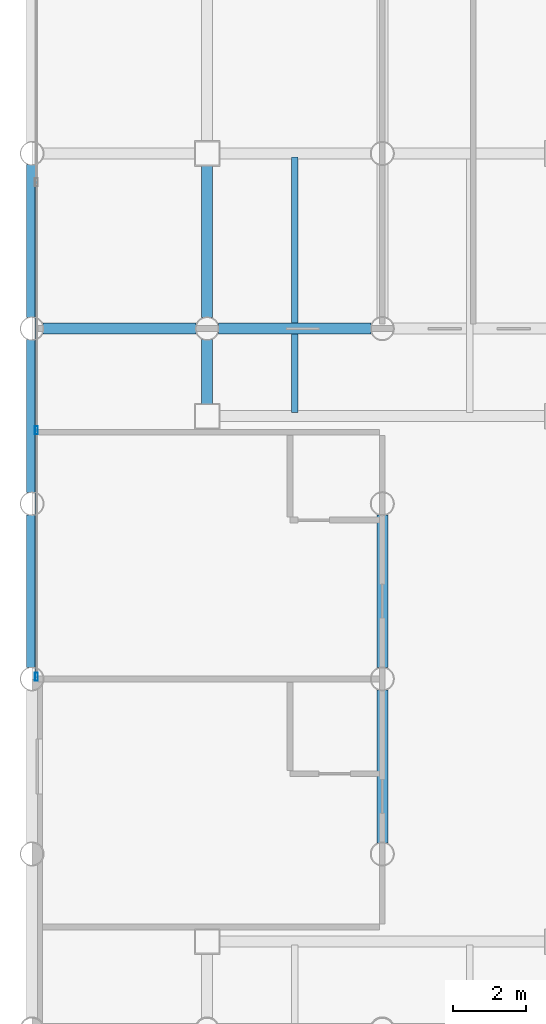
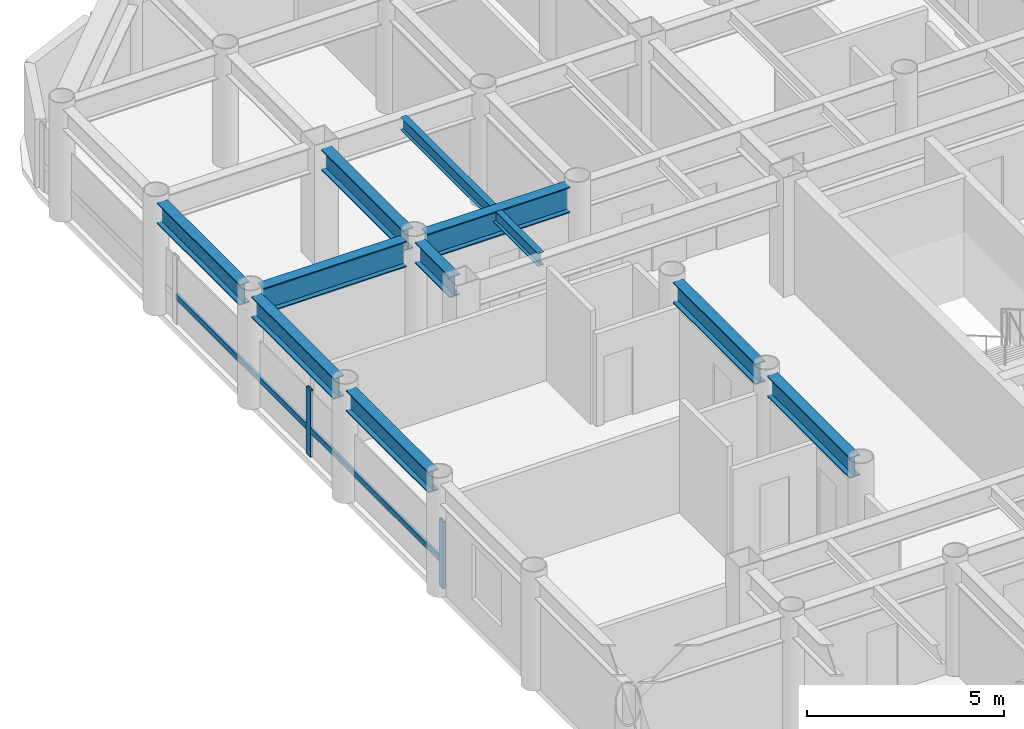
# One storey, part 4 of 22: 10 beams, 4 members, 1 element without a shape of its own.
"""IFC4 building model written with IfcOpenShell, lengths in metres."""

from ifc_helpers import new_model, si_unit, direction, frame, origin, origin_2d, place, context, subcontext, project, spatial, hollow_rectangle, i_section, extrude, material, layer, layer_set, material_profile, profile_set, type_object, element, aggregate, save


model = new_model("IFC4")

# Units and contexts
model_context = context("Model", 3, precision=1e-05, world=origin(), true_north=direction((0.0, 1.0)))
body_context = subcontext(model_context, "Body", "Model", "MODEL_VIEW")
ifc_project = project(units=[si_unit("LENGTHUNIT", "METRE"), si_unit("AREAUNIT", "SQUARE_METRE"), si_unit("VOLUMEUNIT", "CUBIC_METRE"), si_unit("PLANEANGLEUNIT", "RADIAN"), si_unit("MASSUNIT", "GRAM", prefix="KILO")], contexts=[model_context])

# Site, building, storey
site_placement = place(None, origin())
site = spatial("IfcSite", under=ifc_project, at=site_placement, CompositionType="ELEMENT")
building_placement = place(site_placement, origin())
building = spatial("IfcBuilding", under=site, at=building_placement, Name="Kallvorn Hotel Tower", CompositionType="ELEMENT")
storey_placement = place(building_placement, frame((0.0, 0.0, 110.0)))
storey = spatial("IfcBuildingStorey", under=building, at=storey_placement, Name="L26", CompositionType="ELEMENT", Elevation=110.0)

# Beams
ifc_material_1 = material(Name="Structural steel S355JR", Category="steel")
ifc_material_profile_1 = material_profile(ifc_material_1, i_section(OverallWidth=0.300048828125, OverallDepth=0.64990234375, WebThickness=0.01611328125, FlangeThickness=0.031005859375, at=origin_2d()), Name="HE 650 B")
ifc_profile_set_1 = profile_set([ifc_material_profile_1], Name="Structural steel S355JR")
beam_type_1 = type_object("IfcBeamType", Name="BM_HE650B", PredefinedType="BEAM", material=ifc_profile_set_1)
beam_1_placement = place(storey_placement, frame((-28.800048828125, 0.304931640625, 3.195068359375), z_axis=(0.0, 1.0, 0.0), x_axis=(-1.0, 0.0, 0.0)))
element("IfcBeam", 1, at=beam_1_placement, inside=storey, type_object=beam_type_1, Name="L27 Primary Y-Girder 77", PredefinedType="BEAM", context=body_context, shape_type="SweptSolid", body=[
    extrude(i_section(OverallWidth=0.300048828125, OverallDepth=0.64990234375, WebThickness=0.01611328125, FlangeThickness=0.031005859375, at=origin_2d()), origin(), (0.0, 0.0, 1.0), 4.190185546875),
])
for number, where, z_axis, x_axis, name in (
    (2, (-28.800048828125, 5.10498046875, 3.195068359375), (0.0, 1.0, 0.0), (-1.0, 0.0, 0.0), "L27 Primary Y-Girder 78"),
    (3, (-28.800048828125, 9.905029296875, 3.195068359375), (0.0, 1.0, 0.0), (-1.0, 0.0, 0.0), "L27 Primary Y-Girder 79"),
):
    element("IfcBeam", number, at=place(storey_placement, frame(where, z_axis=z_axis, x_axis=x_axis)), inside=storey, type_object=beam_type_1, Name=name, PredefinedType="BEAM", context=body_context, shape_type="SweptSolid", body=[
        extrude(i_section(OverallWidth=0.300048828125, OverallDepth=0.64990234375, WebThickness=0.01611328125, FlangeThickness=0.031005859375, at=origin_2d()), origin(), (0.0, 0.0, 1.0), 4.18994140625),
    ])
beam_2_placement = place(storey_placement, frame((-24.0, 7.52490234375, 3.195068359375), z_axis=(0.0, 1.0, 0.0), x_axis=(-1.0, 0.0, 0.0)))
element("IfcBeam", 4, at=beam_2_placement, inside=storey, type_object=beam_type_1, Name="L27 Primary Y-Girder 84", PredefinedType="BEAM", context=body_context, shape_type="SweptSolid", body=[
    extrude(i_section(OverallWidth=0.300048828125, OverallDepth=0.64990234375, WebThickness=0.01611328125, FlangeThickness=0.031005859375, at=origin_2d()), origin(), (0.0, 0.0, 1.0), 1.77001953125),
])
beam_3_placement = place(storey_placement, frame((-24.0, 9.905029296875, 3.195068359375), z_axis=(0.0, 1.0, 0.0), x_axis=(-1.0, 0.0, 0.0)))
element("IfcBeam", 5, at=beam_3_placement, inside=storey, type_object=beam_type_1, Name="L27 Primary Y-Girder 85", PredefinedType="BEAM", context=body_context, shape_type="SweptSolid", body=[
    extrude(i_section(OverallWidth=0.300048828125, OverallDepth=0.64990234375, WebThickness=0.01611328125, FlangeThickness=0.031005859375, at=origin_2d()), origin(), (0.0, 0.0, 1.0), 4.169921875),
])
for number, where, z_axis, x_axis, name in (
    (6, (-19.199951171875, -4.4951171875, 3.195068359375), (0.0, 1.0, 0.0), (-1.0, 0.0, 0.0), "L27 Primary Y-Girder 91"),
    (7, (-19.199951171875, 0.304931640625, 3.195068359375), (0.0, 1.0, 0.0), (-1.0, 0.0, 0.0), "L27 Primary Y-Girder 92"),
):
    element("IfcBeam", number, at=place(storey_placement, frame(where, z_axis=z_axis, x_axis=x_axis)), inside=storey, type_object=beam_type_1, Name=name, PredefinedType="BEAM", context=body_context, shape_type="SweptSolid", body=[
        extrude(i_section(OverallWidth=0.300048828125, OverallDepth=0.64990234375, WebThickness=0.01611328125, FlangeThickness=0.031005859375, at=origin_2d()), origin(), (0.0, 0.0, 1.0), 4.190185546875),
    ])
ifc_material_2 = material(Name="Structural steel S355JR", Category="steel")
ifc_material_profile_2 = material_profile(ifc_material_2, i_section(OverallWidth=0.300048828125, OverallDepth=0.800048828125, WebThickness=0.017578125, FlangeThickness=0.032958984375, at=origin_2d()), Name="HE 800 B")
ifc_profile_set_2 = profile_set([ifc_material_profile_2], Name="Structural steel S355JR")
beam_type_2 = type_object("IfcBeamType", Name="BM_HE800B", PredefinedType="BEAM", material=ifc_profile_set_2)
for number, where, z_axis, x_axis, name in (
    (8, (-28.4951171875, 9.60009765625, 3.1201171875), (1.0, 0.0, 0.0), (0.0, 1.0, 0.0), "L27 Primary X-Girder 41"),
    (9, (-23.695068359375, 9.60009765625, 3.1201171875), (1.0, 0.0, 0.0), (0.0, 1.0, 0.0), "L27 Primary X-Girder 42"),
):
    element("IfcBeam", number, at=place(storey_placement, frame(where, z_axis=z_axis, x_axis=x_axis)), inside=storey, type_object=beam_type_2, Name=name, PredefinedType="BEAM", context=body_context, shape_type="SweptSolid", body=[
        extrude(i_section(OverallWidth=0.300048828125, OverallDepth=0.800048828125, WebThickness=0.017578125, FlangeThickness=0.032958984375, at=origin_2d()), origin(), (0.0, 0.0, 1.0), 4.190185546875),
    ])
ifc_material_3 = material(Name="Structural steel S355JR", Category="steel")
ifc_material_profile_3 = material_profile(ifc_material_3, i_section(OverallWidth=0.179931640625, OverallDepth=0.39990234375, WebThickness=0.008544921875, FlangeThickness=0.013427734375, at=origin_2d()), Name="IPE 400")
ifc_profile_set_3 = profile_set([ifc_material_profile_3], Name="Structural steel S355JR")
beam_type_3 = type_object("IfcBeamType", Name="BM_IPE400", PredefinedType="JOIST", material=ifc_profile_set_3)
beam_4_placement = place(storey_placement, frame((-21.60009765625, 7.300048828125, 3.320068359375), z_axis=(0.0, 1.0, 0.0), x_axis=(-1.0, 0.0, 0.0)))
element("IfcBeam", 10, at=beam_4_placement, inside=storey, type_object=beam_type_3, Name="L27 Secondary Composite Joist 193", PredefinedType="JOIST", context=body_context, shape_type="SweptSolid", body=[
    extrude(i_section(OverallWidth=0.179931640625, OverallDepth=0.39990234375, WebThickness=0.008544921875, FlangeThickness=0.013427734375, at=origin_2d()), origin(), (0.0, 0.0, 1.0), 7.0),
])

# Curtain wall, members
ifc_material_4 = material(Name="Thermally broken black-anodised aluminium AA 6063-T6", Category="aluminium")
ifc_layer = layer(ifc_material_4, 0.199951171875)
ifc_layer_set = layer_set([ifc_layer], Name="CW_SYS_3_HOTEL_LOW")
curtain_wall_type = type_object("IfcCurtainWallType", Name="CW_SYS_3_HOTEL_LOW", PredefinedType="USERDEFINED", material=ifc_layer_set)
curtain_wall_placement = place(storey_placement, origin())
curtain_wall = element("IfcCurtainWall", 11, at=curtain_wall_placement, inside=storey, type_object=curtain_wall_type, Name="L26 Dark-Glass Curtain Wall CW-L26-WN", ObjectType="UNITISED CURTAIN WALL", PredefinedType="USERDEFINED")
ifc_material_5 = material(Name="Thermally broken black-anodised aluminium AA 6063-T6", Category="aluminium")
ifc_material_profile_4 = material_profile(ifc_material_5, hollow_rectangle(XDim=0.080078125, YDim=0.219970703125, WallThickness=0.0048828125, at=origin_2d()), Name="MUL 220x80")
ifc_profile_set_4 = profile_set([ifc_material_profile_4], Name="Thermally broken black-anodised aluminium AA 6063-T6")
member_type_1 = type_object("IfcMemberType", Name="CW_MULLION_220x80", PredefinedType="MULLION", material=ifc_profile_set_4)
member_1_placement = place(storey_placement, frame((-28.679931640625, 0.06005859375, 0.02001953125), z_axis=(0.0, 0.0, 1.0), x_axis=(1.0, 0.0, 0.0)))
member_1 = element("IfcMember", 12, at=member_1_placement, type_object=member_type_1, Name="CW-L26-WN Mullion 00", PredefinedType="MULLION", context=body_context, shape_type="SweptSolid", body=[
    extrude(hollow_rectangle(XDim=0.080078125, YDim=0.219970703125, WallThickness=0.0048828125, at=origin_2d()), origin(), (0.0, 0.0, 1.0), 2.080078125),
])
member_2_placement = place(storey_placement, frame((-28.679931640625, 6.813232421875, 0.02001953125), z_axis=(0.0, 0.0, 1.0), x_axis=(1.0, 0.0, 0.0)))
member_2 = element("IfcMember", 13, at=member_2_placement, type_object=member_type_1, Name="CW-L26-WN Mullion 01", PredefinedType="MULLION", context=body_context, shape_type="SweptSolid", body=[
    extrude(hollow_rectangle(XDim=0.080078125, YDim=0.219970703125, WallThickness=0.0048828125, at=origin_2d()), origin(), (0.0, 0.0, 1.0), 2.080078125),
])
ifc_material_6 = material(Name="Thermally broken black-anodised aluminium AA 6063-T6", Category="aluminium")
ifc_material_profile_5 = material_profile(ifc_material_6, hollow_rectangle(XDim=0.070068359375, YDim=0.179931640625, WallThickness=0.00390625, at=origin_2d()), Name="TRN 180x70")
ifc_profile_set_5 = profile_set([ifc_material_profile_5], Name="Thermally broken black-anodised aluminium AA 6063-T6")
member_type_2 = type_object("IfcMemberType", Name="CW_TRANSOM_180x70", PredefinedType="USERDEFINED", material=ifc_profile_set_5)
member_3_placement = place(storey_placement, frame((-28.679931640625, 0.06005859375, 0.85009765625), z_axis=(0.0, 1.0, 0.0), x_axis=(-1.0, 0.0, 0.0)))
member_3 = element("IfcMember", 14, at=member_3_placement, type_object=member_type_2, Name="CW-L26-WN Transom 00M", ObjectType="TRANSOM", PredefinedType="USERDEFINED", context=body_context, shape_type="SweptSolid", body=[
    extrude(hollow_rectangle(XDim=0.070068359375, YDim=0.179931640625, WallThickness=0.00390625, at=origin_2d()), origin(), (0.0, 0.0, 1.0), 6.713134765625),
])
member_4_placement = place(storey_placement, frame((-28.679931640625, 6.853271484375, 0.85009765625), z_axis=(0.0, 1.0, 0.0), x_axis=(-1.0, 0.0, 0.0)))
member_4 = element("IfcMember", 15, at=member_4_placement, type_object=member_type_2, Name="CW-L26-WN Transom 01M", ObjectType="TRANSOM", PredefinedType="USERDEFINED", context=body_context, shape_type="SweptSolid", body=[
    extrude(hollow_rectangle(XDim=0.070068359375, YDim=0.179931640625, WallThickness=0.00390625, at=origin_2d()), origin(), (0.0, 0.0, 1.0), 6.71337890625),
])
aggregate(curtain_wall, [member_1, member_2, member_3, member_4])

save(model, "model.ifc")
